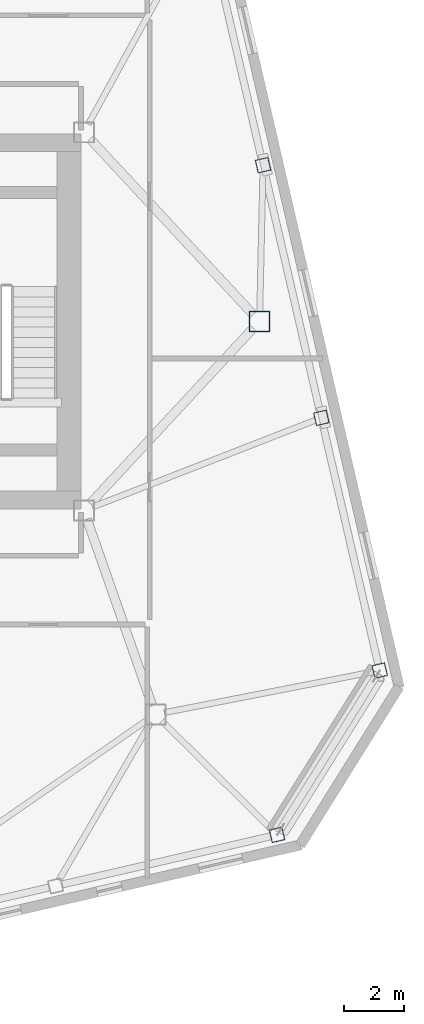
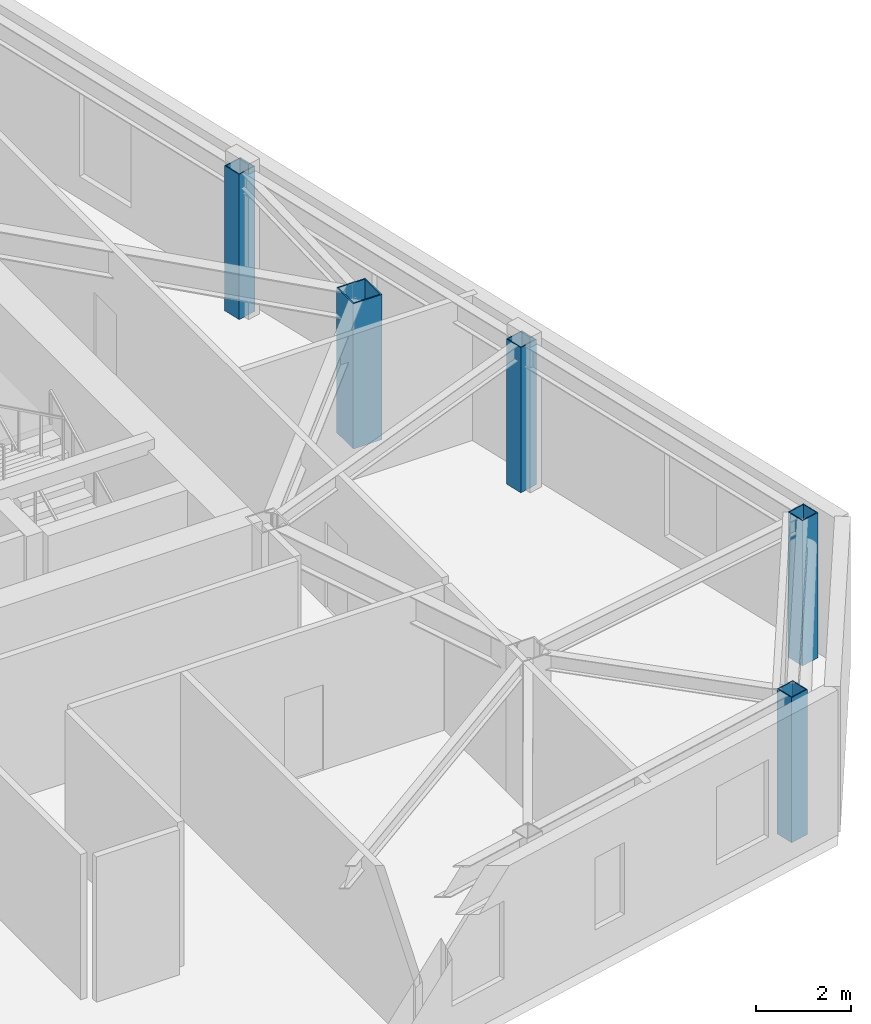
# One storey, part 3 of 23: 5 columns.
"""IFC4 building model written with IfcOpenShell, lengths in metres."""

from ifc_helpers import new_model, si_unit, direction, frame, origin, origin_2d, place, context, subcontext, project, spatial, hollow_rectangle, extrude, material, material_profile, profile_set, type_object, element, save


model = new_model("IFC4")

# Units and contexts
model_context = context("Model", 3, precision=1e-05, world=origin(), true_north=direction((0.0, 1.0)))
body_context = subcontext(model_context, "Body", "Model", "MODEL_VIEW")
ifc_project = project(units=[si_unit("LENGTHUNIT", "METRE"), si_unit("AREAUNIT", "SQUARE_METRE"), si_unit("VOLUMEUNIT", "CUBIC_METRE"), si_unit("PLANEANGLEUNIT", "RADIAN"), si_unit("MASSUNIT", "GRAM", prefix="KILO")], contexts=[model_context])

# Site, building, storey
site_placement = place(None, origin())
site = spatial("IfcSite", under=ifc_project, at=site_placement, CompositionType="ELEMENT")
building_placement = place(site_placement, origin())
building = spatial("IfcBuilding", under=site, at=building_placement, Name="Tavrogorsk Clinical Tower", CompositionType="ELEMENT")
storey_placement = place(building_placement, frame((0.0, 0.0, 301.0)))
storey = spatial("IfcBuildingStorey", under=building, at=storey_placement, Name="L70", CompositionType="ELEMENT", Elevation=301.0)

# Columns
ifc_material_1 = material(Name="Structural steel S440", Category="steel")
ifc_material_profile_1 = material_profile(ifc_material_1, hollow_rectangle(XDim=0.699951171875, YDim=0.699951171875, WallThickness=0.031982421875, at=origin_2d()), Name="BOX-700x700x32")
ifc_profile_set_1 = profile_set([ifc_material_profile_1], Name="Structural steel S440")
column_type_1 = type_object("IfcColumnType", Name="MegaCol_BOX700", PredefinedType="COLUMN", material=ifc_profile_set_1)
column_placement = place(storey_placement, frame((28.0, 0.0, 0.0), z_axis=(0.0, 0.0, 1.0), x_axis=(1.0, 0.0, 0.0)))
element("IfcColumn", 1, at=column_placement, inside=storey, type_object=column_type_1, Name="L70 Spine Pilotis Column MC-P6", PredefinedType="COLUMN", context=body_context, shape_type="SweptSolid", body=[
    extrude(hollow_rectangle(XDim=0.699951171875, YDim=0.699951171875, WallThickness=0.031982421875, at=origin_2d()), origin(), (0.0, 0.0, 1.0), 3.739990234375),
])
ifc_material_2 = material(Name="Structural steel S440", Category="steel")
ifc_material_profile_2 = material_profile(ifc_material_2, hollow_rectangle(XDim=0.449951171875, YDim=0.449951171875, WallThickness=0.02197265625, at=origin_2d()), Name="BOX-450x450x22")
ifc_profile_set_2 = profile_set([ifc_material_profile_2], Name="Structural steel S440")
column_type_2 = type_object("IfcColumnType", Name="PerimCol_B5_BOX450", PredefinedType="COLUMN", material=ifc_profile_set_2)
for number, where, z_axis, x_axis, name in (
    (2, (28.588623046875, -17.244873046875, 0.0), (0.0, 0.0, 1.0), (0.974370064785, 0.224951054344, 0.0), "L70 Perimeter Column S8"),
    (3, (32.035888671875, -11.72802734375, 0.0), (0.0, 0.0, 1.0), (0.974370064785, 0.224951054344, 0.0), "L70 Perimeter Column E1"),
    (4, (30.07666015625, -3.2412109375, 0.0), (0.0, 0.0, 1.0), (0.974370064785, 0.224951054344, 0.0), "L70 Perimeter Column E2"),
    (5, (28.1171875, 5.24560546875, 0.0), (0.0, 0.0, 1.0), (0.974370064785, 0.224951054344, 0.0), "L70 Perimeter Column E3"),
):
    element("IfcColumn", number, at=place(storey_placement, frame(where, z_axis=z_axis, x_axis=x_axis)), inside=storey, type_object=column_type_2, Name=name, PredefinedType="COLUMN", context=body_context, shape_type="SweptSolid", body=[
        extrude(hollow_rectangle(XDim=0.449951171875, YDim=0.449951171875, WallThickness=0.02197265625, at=origin_2d()), origin(), (0.0, 0.0, 1.0), 3.739990234375),
    ])

save(model, "model.ifc")
